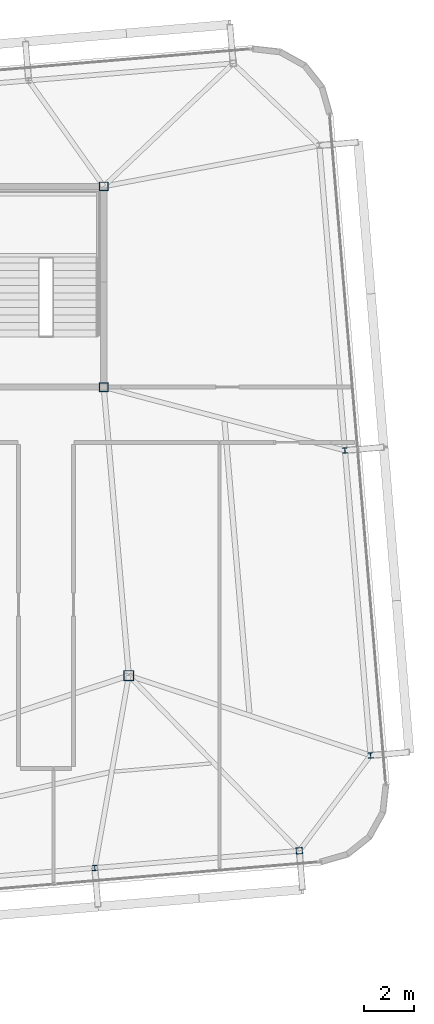
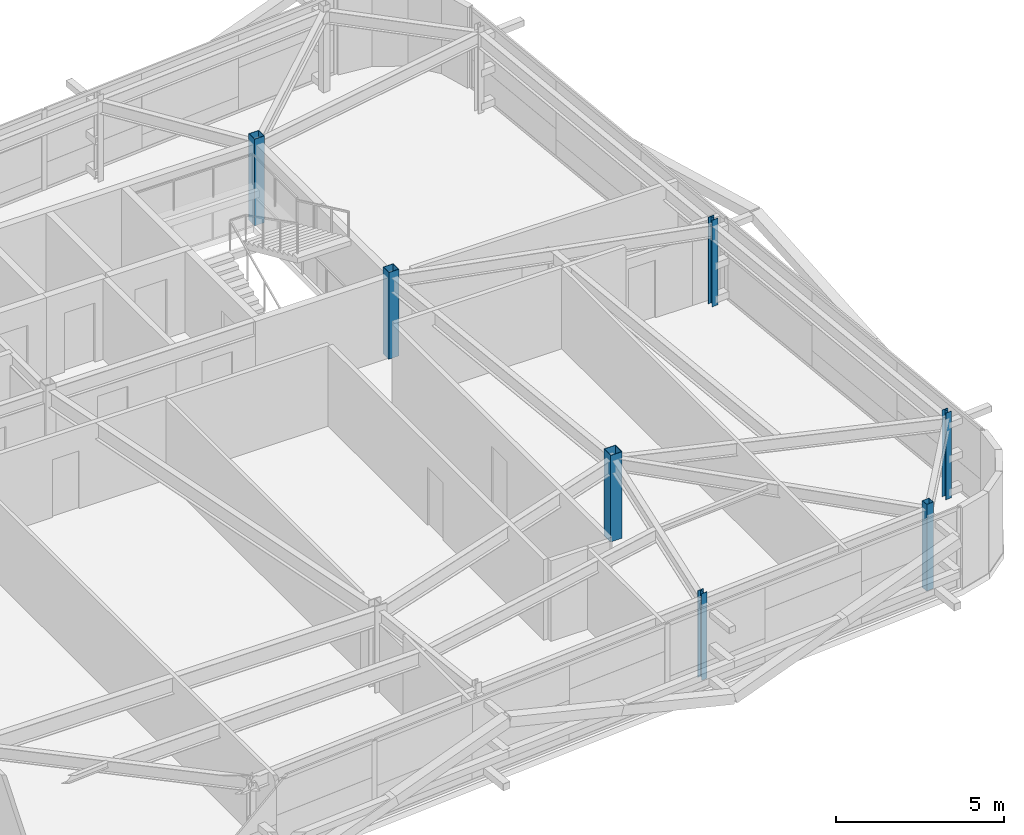
# One storey, part 4 of 39: 7 columns.
"""IFC4 building model written with IfcOpenShell, lengths in metres."""

from ifc_helpers import new_model, si_unit, direction, frame, origin, origin_2d, place, context, subcontext, project, spatial, hollow_rectangle, i_section, extrude, source, transform, mapped, material, material_profile, profile_set, type_object, element, save


model = new_model("IFC4")

# Units and contexts
model_context = context("Model", 3, precision=1e-05, world=origin(), true_north=direction((0.0, 1.0)))
body_context = subcontext(model_context, "Body", "Model", "MODEL_VIEW")
ifc_project = project(units=[si_unit("LENGTHUNIT", "METRE"), si_unit("AREAUNIT", "SQUARE_METRE"), si_unit("VOLUMEUNIT", "CUBIC_METRE"), si_unit("PLANEANGLEUNIT", "RADIAN"), si_unit("MASSUNIT", "GRAM", prefix="KILO")], contexts=[model_context])

# Site, building, storey
site_placement = place(None, origin())
site = spatial("IfcSite", under=ifc_project, at=site_placement, CompositionType="ELEMENT")
building_placement = place(site_placement, origin())
building = spatial("IfcBuilding", under=site, at=building_placement, Name="Taldren Reach Tower", CompositionType="ELEMENT")
storey_placement = place(building_placement, frame((0.0, 0.0, 178.85009765625)))
storey = spatial("IfcBuildingStorey", under=building, at=storey_placement, Name="L54", CompositionType="ELEMENT", Elevation=178.85009765625)

# Columns
ifc_material_1 = material(Name="Steel Gr 450 (C450L0)", Category="steel")
ifc_material_profile_1 = material_profile(ifc_material_1, hollow_rectangle(XDim=0.39990234375, YDim=0.39990234375, WallThickness=0.01611328125, at=origin_2d()), Name="400x400x16.0SHS")
ifc_profile_set_1 = profile_set([ifc_material_profile_1], Name="Steel Gr 450 (C450L0)")
column_type_1 = type_object("IfcColumnType", Name="COL-SHS400", PredefinedType="COLUMN", material=ifc_profile_set_1)
shared_shape_1 = source(origin(), body_context, "Body", "SweptSolid", [
    extrude(hollow_rectangle(XDim=0.39990234375, YDim=0.39990234375, WallThickness=0.01611328125, at=origin_2d()), origin(), (0.0, 0.0, 1.0), 3.14990234375),
])
column_1_placement = place(storey_placement, frame((52.0, 12.5, 0.0), z_axis=(0.0, 0.0, 1.0), x_axis=(1.0, 0.0, 0.0)))
element("IfcColumn", 1, at=column_1_placement, inside=storey, type_object=column_type_1, Name="Mega column MC-SE L54", PredefinedType="COLUMN", context=body_context, shape_type="MappedRepresentation", body=[
    mapped(shared_shape_1, transform((0.0, 0.0, 0.0), scale=1.0)),
])
ifc_material_profile_2 = material_profile(ifc_material_1, hollow_rectangle(XDim=0.35009765625, YDim=0.35009765625, WallThickness=0.01611328125, at=origin_2d()), Name="350x350x16.0SHS")
ifc_profile_set_2 = profile_set([ifc_material_profile_2], Name="Steel Gr 450 (C450L0)")
column_type_2 = type_object("IfcColumnType", Name="COL-SHS350", PredefinedType="COLUMN", material=ifc_profile_set_2)
shared_shape_2 = source(origin(), body_context, "Body", "SweptSolid", [
    extrude(hollow_rectangle(XDim=0.35009765625, YDim=0.35009765625, WallThickness=0.01611328125, at=origin_2d()), origin(), (0.0, 0.0, 1.0), 3.14990234375),
])
for number, where, z_axis, x_axis, name in (
    (2, (51.0, 24.0, 0.0), (0.0, 0.0, 1.0), (1.0, 0.0, 0.0), "Mega column MC-C4 L54"),
    (3, (51.0, 32.0, 0.0), (0.0, 0.0, 1.0), (1.0, 0.0, 0.0), "Mega column MC-C8 L54"),
):
    element("IfcColumn", number, at=place(storey_placement, frame(where, z_axis=z_axis, x_axis=x_axis)), inside=storey, type_object=column_type_2, Name=name, PredefinedType="COLUMN", context=body_context, shape_type="MappedRepresentation", body=[
        mapped(shared_shape_2, transform((0.0, 0.0, 0.0), scale=1.0)),
    ])
ifc_material_2 = material(Name="Steel Gr 350 (C350L0)", Category="steel")
ifc_material_profile_3 = material_profile(ifc_material_2, hollow_rectangle(XDim=0.25, YDim=0.25, WallThickness=0.010009765625, at=origin_2d()), Name="250x250x10.0SHS")
ifc_profile_set_3 = profile_set([ifc_material_profile_3], Name="Steel Gr 350 (C350L0)")
column_type_3 = type_object("IfcColumnType", Name="COL-SHS250", PredefinedType="COLUMN", material=ifc_profile_set_3)
shared_shape_3 = source(origin(), body_context, "Body", "SweptSolid", [
    extrude(hollow_rectangle(XDim=0.25, YDim=0.25, WallThickness=0.010009765625, at=origin_2d()), origin(), (0.0, 0.0, 1.0), 3.14990234375),
])
column_2_placement = place(storey_placement, frame((58.796142578125, 5.516357421875, 0.0), z_axis=(0.0, 0.0, 1.0), x_axis=(0.99649285925, 0.083677843332, 0.0)))
element("IfcColumn", 4, at=column_2_placement, inside=storey, type_object=column_type_3, Name="Block B4 perimeter column S6 L54", PredefinedType="COLUMN", context=body_context, shape_type="MappedRepresentation", body=[
    mapped(shared_shape_3, transform((0.0, 0.0, 0.0), scale=1.0)),
])
ifc_material_3 = material(Name="Steel Gr 350 (350PLUS)", Category="steel")
ifc_material_profile_4 = material_profile(ifc_material_3, i_section(OverallWidth=0.205078125, OverallDepth=0.2099609375, WebThickness=0.00927734375, FlangeThickness=0.01416015625, at=origin_2d()), Name="200UC59.5")
ifc_profile_set_4 = profile_set([ifc_material_profile_4], Name="Steel Gr 350 (350PLUS)")
column_type_4 = type_object("IfcColumnType", Name="COL-UC200", PredefinedType="COLUMN", material=ifc_profile_set_4)
shared_shape_4 = source(origin(), body_context, "Body", "SweptSolid", [
    extrude(i_section(OverallWidth=0.205078125, OverallDepth=0.2099609375, WebThickness=0.00927734375, FlangeThickness=0.01416015625, at=origin_2d()), origin(), (0.0, 0.0, 1.0), 3.14990234375),
])
for number, where, z_axis, x_axis, name in (
    (5, (50.644775390625, 4.83203125, 0.0), (0.0, 0.0, 1.0), (0.99649285925, 0.083677843332, 0.0), "Block B4 perimeter column S5 L54"),
    (6, (61.63818359375, 9.317626953125, 0.0), (0.0, 0.0, 1.0), (0.99649285925, 0.083677843332, 0.0), "Block B4 perimeter column E1 L54"),
    (7, (60.6171875, 21.474853515625, 0.0), (0.0, 0.0, 1.0), (0.99649285925, 0.083677843332, 0.0), "Block B4 perimeter column E2 L54"),
):
    element("IfcColumn", number, at=place(storey_placement, frame(where, z_axis=z_axis, x_axis=x_axis)), inside=storey, type_object=column_type_4, Name=name, PredefinedType="COLUMN", context=body_context, shape_type="MappedRepresentation", body=[
        mapped(shared_shape_4, transform((0.0, 0.0, 0.0), scale=1.0)),
    ])

save(model, "model.ifc")
